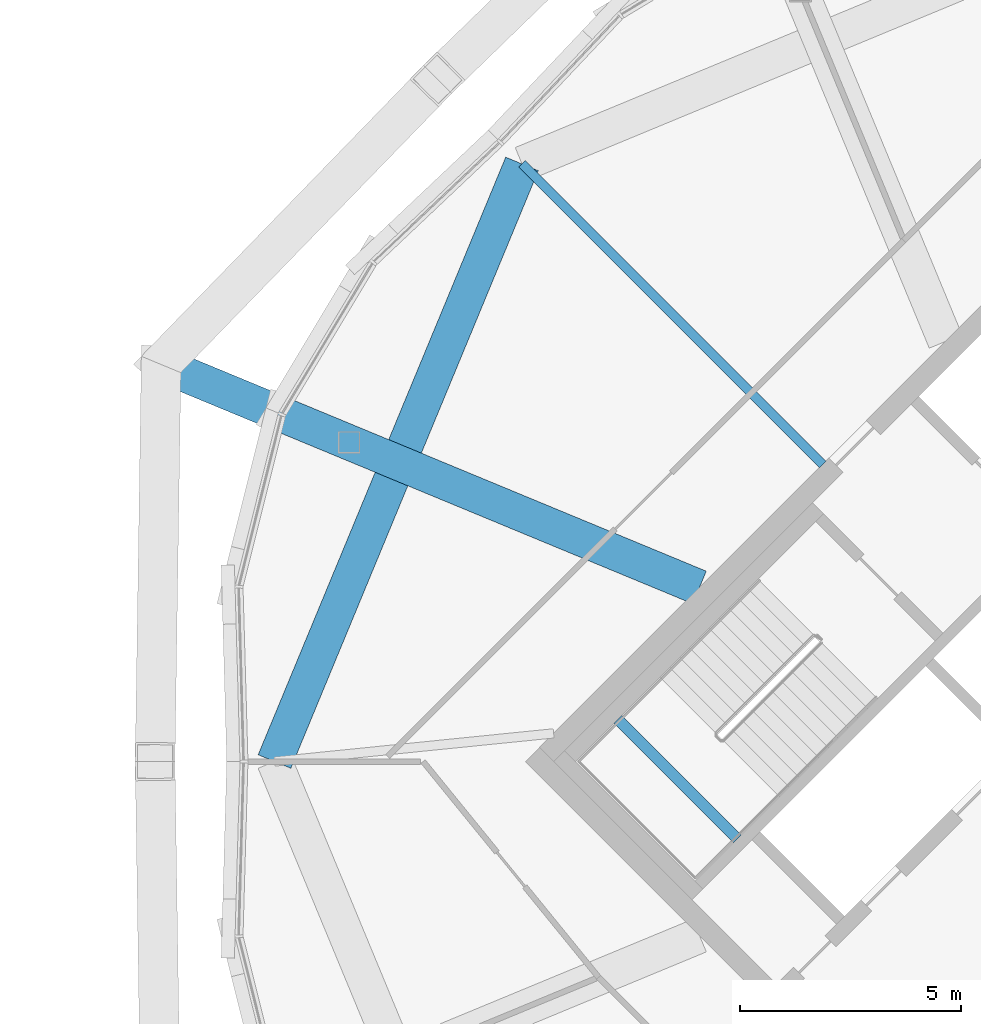
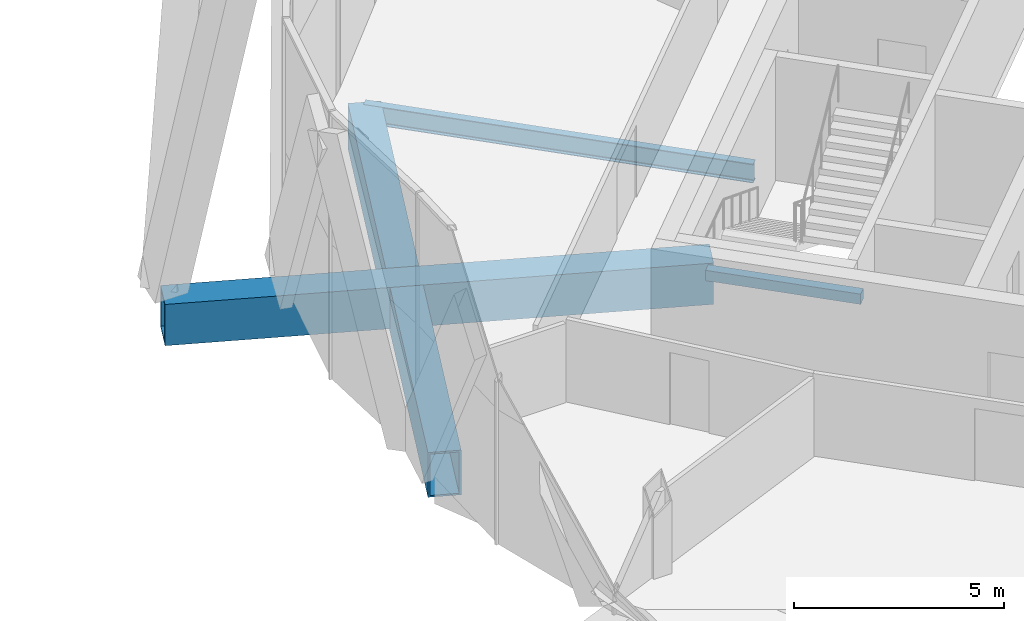
# One storey, part 27 of 53: 4 beams.
"""IFC4 building model written with IfcOpenShell, lengths in metres."""

from ifc_helpers import new_model, si_unit, direction, frame, origin, origin_2d, place, context, subcontext, project, spatial, rectangle, hollow_rectangle, i_section, extrude, material, material_profile, profile_set, type_object, element, save


model = new_model("IFC4")

# Units and contexts
model_context = context("Model", 3, precision=1e-05, world=origin(), true_north=direction((0.0, 1.0)))
body_context = subcontext(model_context, "Body", "Model", "MODEL_VIEW")
ifc_project = project(units=[si_unit("LENGTHUNIT", "METRE"), si_unit("AREAUNIT", "SQUARE_METRE"), si_unit("VOLUMEUNIT", "CUBIC_METRE"), si_unit("PLANEANGLEUNIT", "RADIAN"), si_unit("MASSUNIT", "GRAM", prefix="KILO")], contexts=[model_context])

# Site, building, storey
site_placement = place(None, origin())
site = spatial("IfcSite", under=ifc_project, at=site_placement, CompositionType="ELEMENT")
building_placement = place(site_placement, origin())
building = spatial("IfcBuilding", under=site, at=building_placement, Name="Ogive Gate Towers", CompositionType="ELEMENT")
storey_placement = place(building_placement, frame((0.0, 0.0, 240.60009765625)))
storey = spatial("IfcBuildingStorey", under=building, at=storey_placement, Name="L57", CompositionType="ELEMENT", Elevation=240.60009765625)

# Beams
ifc_material_1 = material(Name="Steel SM460", Category="steel")
ifc_material_profile_1 = material_profile(ifc_material_1, hollow_rectangle(XDim=0.800048828125, YDim=1.300048828125, WallThickness=0.050048828125, at=origin_2d()), Name="BX 1300x800x50")
ifc_profile_set_1 = profile_set([ifc_material_profile_1], Name="Steel SM460")
beam_type_1 = type_object("IfcBeamType", Name="Edge girder BX 1300x800x50", PredefinedType="BEAM", material=ifc_profile_set_1)
beam_1_placement = place(storey_placement, frame((22.4873046875, 13.5126953125, -0.9501953125), z_axis=(-0.38269921506, -0.923872994947, 0.0), x_axis=(0.923872994947, -0.38269921506, 0.0)))
element("IfcBeam", 1, at=beam_1_placement, inside=storey, type_object=beam_type_1, Name="T2/L57/SBM023", PredefinedType="BEAM", context=body_context, shape_type="SweptSolid", body=[
    extrude(hollow_rectangle(XDim=0.800048828125, YDim=1.300048828125, WallThickness=0.050048828125, at=origin_2d()), origin(), (0.0, 0.0, 1.0), 14.626220703125),
])
ifc_material_2 = material(Name="Concrete C40/50", Category="concrete")
ifc_material_profile_2 = material_profile(ifc_material_2, rectangle(XDim=0.25, YDim=0.300048828125, at=origin_2d()), Name="RC 250x300")
ifc_profile_set_2 = profile_set([ifc_material_profile_2], Name="Concrete C40/50")
beam_type_2 = type_object("IfcBeamType", Name="Landing bearer RC 250x300", PredefinedType="BEAM", material=ifc_profile_set_2)
beam_2_placement = place(storey_placement, frame((24.650390625, 0.9541015625, 1.599853515625), z_axis=(0.707106781187, -0.707106781187, 0.0), x_axis=(0.707106781187, 0.707106781187, 0.0)))
element("IfcBeam", 2, at=beam_2_placement, inside=storey, type_object=beam_type_2, Name="T2 L57 stair 1 landing bearer 1", PredefinedType="BEAM", context=body_context, shape_type="SweptSolid", body=[
    extrude(rectangle(XDim=0.25, YDim=0.300048828125, at=origin_2d()), origin(), (0.0, 0.0, 1.0), 3.824951171875),
])
ifc_material_3 = material(Name="Steel SM355", Category="steel")
ifc_material_profile_3 = material_profile(ifc_material_3, i_section(OverallWidth=0.2099609375, OverallDepth=0.550048828125, WebThickness=0.010986328125, FlangeThickness=0.01708984375, FilletRadius=0.02392578125, at=origin_2d()), Name="IPE 550")
ifc_profile_set_3 = profile_set([ifc_material_profile_3], Name="Steel SM355")
beam_type_3 = type_object("IfcBeamType", Name="Radial floor beam IPE 550", PredefinedType="BEAM", material=ifc_profile_set_3)
beam_3_placement = place(storey_placement, frame((29.282470703125, 6.717529296875, -0.5751953125), z_axis=(-0.707106781187, 0.707106781187, 0.0), x_axis=(-0.707106781187, -0.707106781187, 0.0)))
element("IfcBeam", 3, at=beam_3_placement, inside=storey, type_object=beam_type_3, Name="T2/L57/SBM013", PredefinedType="BEAM", context=body_context, shape_type="SweptSolid", body=[
    extrude(i_section(OverallWidth=0.2099609375, OverallDepth=0.550048828125, WebThickness=0.010986328125, FlangeThickness=0.01708984375, FilletRadius=0.02392578125, at=origin_2d()), origin(), (0.0, 0.0, 1.0), 9.60986328125),
])
ifc_material_profile_4 = material_profile(ifc_material_1, hollow_rectangle(XDim=0.800048828125, YDim=1.199951171875, WallThickness=0.050048828125, at=origin_2d()), Name="BX 1200x800x50")
ifc_profile_set_4 = profile_set([ifc_material_profile_4], Name="Steel SM460")
beam_type_4 = type_object("IfcBeamType", Name="Transfer radial beam BX 1200x800x50", PredefinedType="BEAM", material=ifc_profile_set_4)
beam_4_placement = place(storey_placement, frame((26.5, 3.93505859375, -0.900146484375), z_axis=(-0.923880669006, 0.382680688612, 0.0), x_axis=(-0.382680688612, -0.923880669006, 0.0)))
element("IfcBeam", 4, at=beam_4_placement, inside=storey, type_object=beam_type_4, Name="T2/L57/SBM014", PredefinedType="BEAM", context=body_context, shape_type="SweptSolid", body=[
    extrude(hollow_rectangle(XDim=0.800048828125, YDim=1.199951171875, WallThickness=0.050048828125, at=origin_2d()), origin(), (0.0, 0.0, 1.0), 13.177490234375),
])

save(model, "model.ifc")
